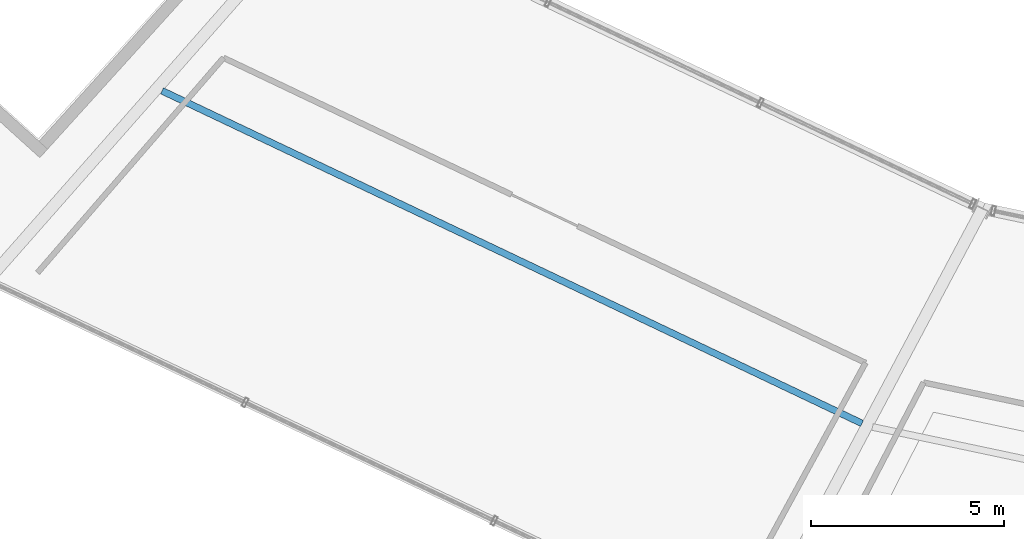
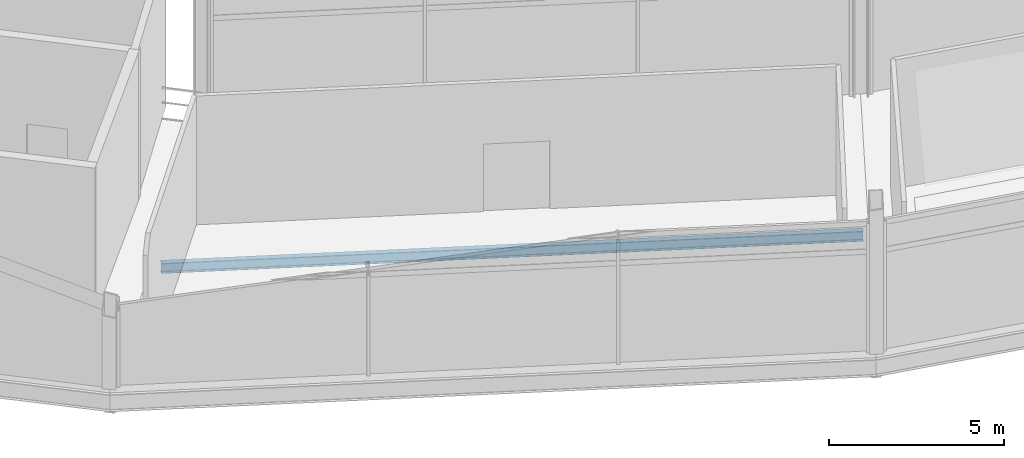
# One storey, part 15 of 86: 1 beam.
"""IFC4 building model written with IfcOpenShell, lengths in metres."""

from ifc_helpers import new_model, si_unit, direction, frame, origin, origin_2d, place, context, subcontext, project, spatial, i_section, extrude, material, material_profile, profile_set, type_object, element, save


model = new_model("IFC4")

# Units and contexts
model_context = context("Model", 3, precision=1e-05, world=origin(), true_north=direction((0.0, 1.0)))
body_context = subcontext(model_context, "Body", "Model", "MODEL_VIEW")
ifc_project = project(units=[si_unit("LENGTHUNIT", "METRE"), si_unit("AREAUNIT", "SQUARE_METRE"), si_unit("VOLUMEUNIT", "CUBIC_METRE"), si_unit("PLANEANGLEUNIT", "RADIAN"), si_unit("MASSUNIT", "GRAM", prefix="KILO")], contexts=[model_context])

# Site, building, storey
site_placement = place(None, origin())
site = spatial("IfcSite", under=ifc_project, at=site_placement, CompositionType="ELEMENT")
building_placement = place(site_placement, origin())
building = spatial("IfcBuilding", under=site, at=building_placement, Name="Kazemori Nagisa Stadium", CompositionType="ELEMENT")
storey_placement = place(building_placement, frame((0.0, 0.0, 31.280029296875)))
storey = spatial("IfcBuildingStorey", under=building, at=storey_placement, Name="L06", CompositionType="ELEMENT", Elevation=31.280029296875)

# Beam
ifc_material = material(Name="Steel SN490B", Category="steel")
ifc_material_profile = material_profile(ifc_material, i_section(OverallWidth=0.175048828125, OverallDepth=0.35009765625, WebThickness=0.007080078125, FlangeThickness=0.010986328125, FilletRadius=0.012939453125, at=origin_2d()), Name="H-350x175x7x11")
ifc_profile_set = profile_set([ifc_material_profile], Name="Steel SN490B")
beam_type = type_object("IfcBeamType", Name="Beam_BJ-H350", PredefinedType="JOIST", material=ifc_profile_set)
beam_placement = place(storey_placement, frame((64.914794921875, 35.85302734375, -0.43505859375), z_axis=(0.90321332486, -0.429191903228, 0.0), x_axis=(0.429191903228, 0.90321332486, 0.0)))
element("IfcBeam", 1, at=beam_placement, inside=storey, type_object=beam_type, Name="Outer bay joist BJ-H350 L06 B19", PredefinedType="JOIST", context=body_context, shape_type="SweptSolid", body=[
    extrude(i_section(OverallWidth=0.175048828125, OverallDepth=0.35009765625, WebThickness=0.007080078125, FlangeThickness=0.010986328125, FilletRadius=0.012939453125, at=origin_2d()), origin(), (0.0, 0.0, 1.0), 20.09033203125),
])

save(model, "model.ifc")
